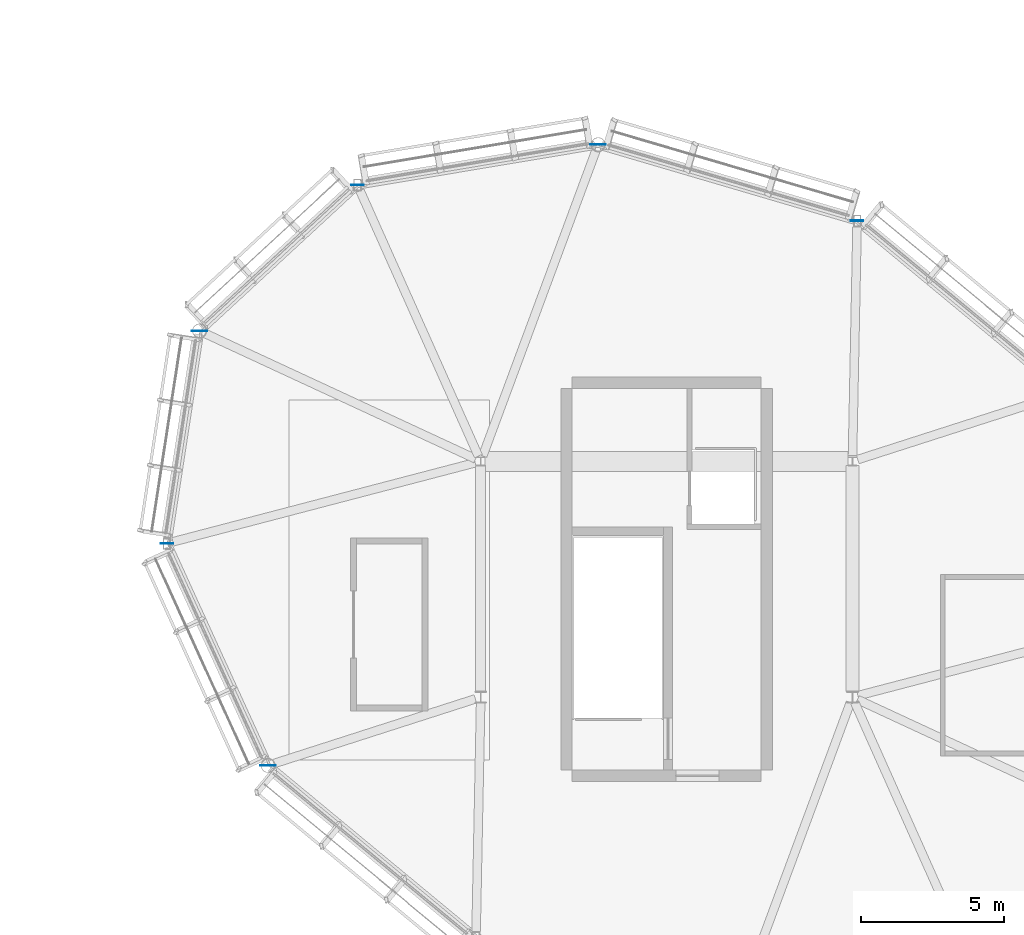
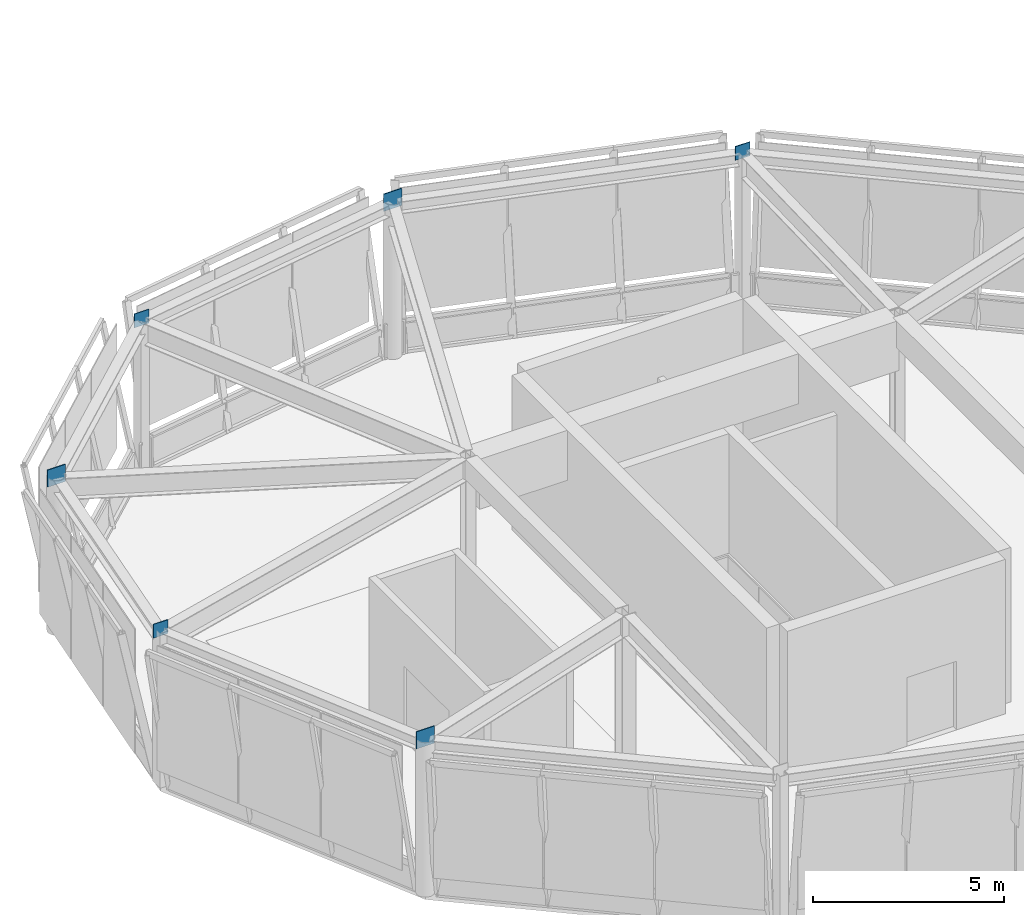
# One storey, part 93 of 113: 6 plates.
"""IFC4 building model written with IfcOpenShell, lengths in metres."""

from ifc_helpers import new_model, si_unit, direction, frame, origin, origin_2d, place, context, subcontext, project, spatial, rectangle, extrude, material, layer, layer_set, type_object, element, save


model = new_model("IFC4")

# Units and contexts
model_context = context("Model", 3, precision=1e-05, world=origin(), true_north=direction((0.0, 1.0)))
body_context = subcontext(model_context, "Body", "Model", "MODEL_VIEW")
ifc_project = project(units=[si_unit("LENGTHUNIT", "METRE"), si_unit("AREAUNIT", "SQUARE_METRE"), si_unit("VOLUMEUNIT", "CUBIC_METRE"), si_unit("PLANEANGLEUNIT", "RADIAN"), si_unit("MASSUNIT", "GRAM", prefix="KILO")], contexts=[model_context])

# Site, building, storey
site_placement = place(None, origin())
site = spatial("IfcSite", under=ifc_project, at=site_placement, CompositionType="ELEMENT")
building_placement = place(site_placement, origin())
building = spatial("IfcBuilding", under=site, at=building_placement, Name="Linyun Crest Stadium", CompositionType="ELEMENT")
storey_placement = place(building_placement, frame((0.0, 0.0, 26.39990234375)))
storey = spatial("IfcBuildingStorey", under=building, at=storey_placement, Name="L06", CompositionType="ELEMENT", Elevation=26.39990234375)

# Plates
ifc_material = material(Name="Steel Q420C", Category="steel")
ifc_layer = layer(ifc_material, 0.02392578125)
ifc_layer_set = layer_set([ifc_layer], Name="Steel Q420C")
plate_type = type_object("IfcPlateType", Name="EP02", PredefinedType="USERDEFINED", material=ifc_layer_set)
plate_1_placement = place(storey_placement, frame((-66.833984375, 97.1630859375, 4.72509765625), z_axis=(0.0, 0.0, 1.0), x_axis=(1.0, 0.0, 0.0)))
element("IfcPlate", 1, at=plate_1_placement, inside=storey, type_object=plate_type, Name="Hollow section cap end plate EP02 358", ObjectType="END PLATE", PredefinedType="USERDEFINED", context=body_context, shape_type="SweptSolid", body=[
    extrude(rectangle(XDim=0.43994140625, YDim=0.02392578125, at=origin_2d()), origin(), (0.0, 0.0, 1.0), 0.43994140625),
])
plate_2_placement = place(storey_placement, frame((-75.89404296875, 99.825927734375, 4.6708984375), z_axis=(0.0, 0.0, 1.0), x_axis=(1.0, 0.0, 0.0)))
element("IfcPlate", 2, at=plate_2_placement, inside=storey, type_object=plate_type, Name="Hollow section cap end plate EP02 363", ObjectType="END PLATE", PredefinedType="USERDEFINED", context=body_context, shape_type="SweptSolid", body=[
    extrude(rectangle(XDim=0.548095703125, YDim=0.02392578125, at=origin_2d()), origin(), (0.0, 0.0, 1.0), 0.548095703125),
])
plate_3_placement = place(storey_placement, frame((-84.31298828125, 98.416015625, 4.72509765625), z_axis=(0.0, 0.0, 1.0), x_axis=(1.0, 0.0, 0.0)))
element("IfcPlate", 3, at=plate_3_placement, inside=storey, type_object=plate_type, Name="Hollow section cap end plate EP02 368", ObjectType="END PLATE", PredefinedType="USERDEFINED", context=body_context, shape_type="SweptSolid", body=[
    extrude(rectangle(XDim=0.43994140625, YDim=0.02392578125, at=origin_2d()), origin(), (0.0, 0.0, 1.0), 0.43994140625),
])
plate_4_placement = place(storey_placement, frame((-89.8349609375, 93.31005859375, 4.6708984375), z_axis=(0.0, 0.0, 1.0), x_axis=(1.0, 0.0, 0.0)))
element("IfcPlate", 4, at=plate_4_placement, inside=storey, type_object=plate_type, Name="Hollow section cap end plate EP02 373", ObjectType="END PLATE", PredefinedType="USERDEFINED", context=body_context, shape_type="SweptSolid", body=[
    extrude(rectangle(XDim=0.548095703125, YDim=0.02392578125, at=origin_2d()), origin(), (0.0, 0.0, 1.0), 0.548095703125),
])
plate_5_placement = place(storey_placement, frame((-90.97900390625, 85.8779296875, 4.72509765625), z_axis=(0.0, 0.0, 1.0), x_axis=(1.0, 0.0, 0.0)))
element("IfcPlate", 5, at=plate_5_placement, inside=storey, type_object=plate_type, Name="Hollow section cap end plate EP02 378", ObjectType="END PLATE", PredefinedType="USERDEFINED", context=body_context, shape_type="SweptSolid", body=[
    extrude(rectangle(XDim=0.43994140625, YDim=0.02392578125, at=origin_2d()), origin(), (0.0, 0.0, 1.0), 0.43994140625),
])
plate_6_placement = place(storey_placement, frame((-87.44091796875, 78.110107421875, 4.6708984375), z_axis=(0.0, 0.0, 1.0), x_axis=(1.0, 0.0, 0.0)))
element("IfcPlate", 6, at=plate_6_placement, inside=storey, type_object=plate_type, Name="Hollow section cap end plate EP02 383", ObjectType="END PLATE", PredefinedType="USERDEFINED", context=body_context, shape_type="SweptSolid", body=[
    extrude(rectangle(XDim=0.548095703125, YDim=0.02392578125, at=origin_2d()), origin(), (0.0, 0.0, 1.0), 0.548095703125),
])

save(model, "model.ifc")
